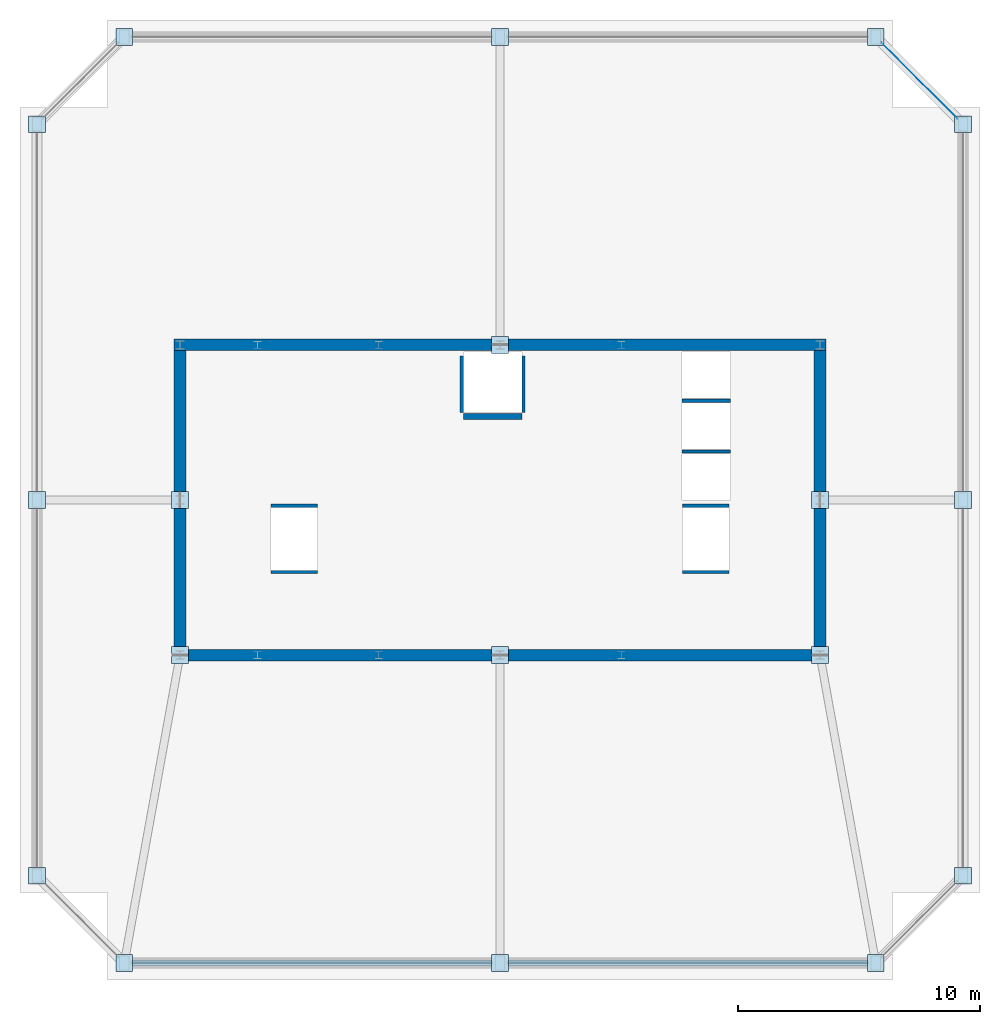
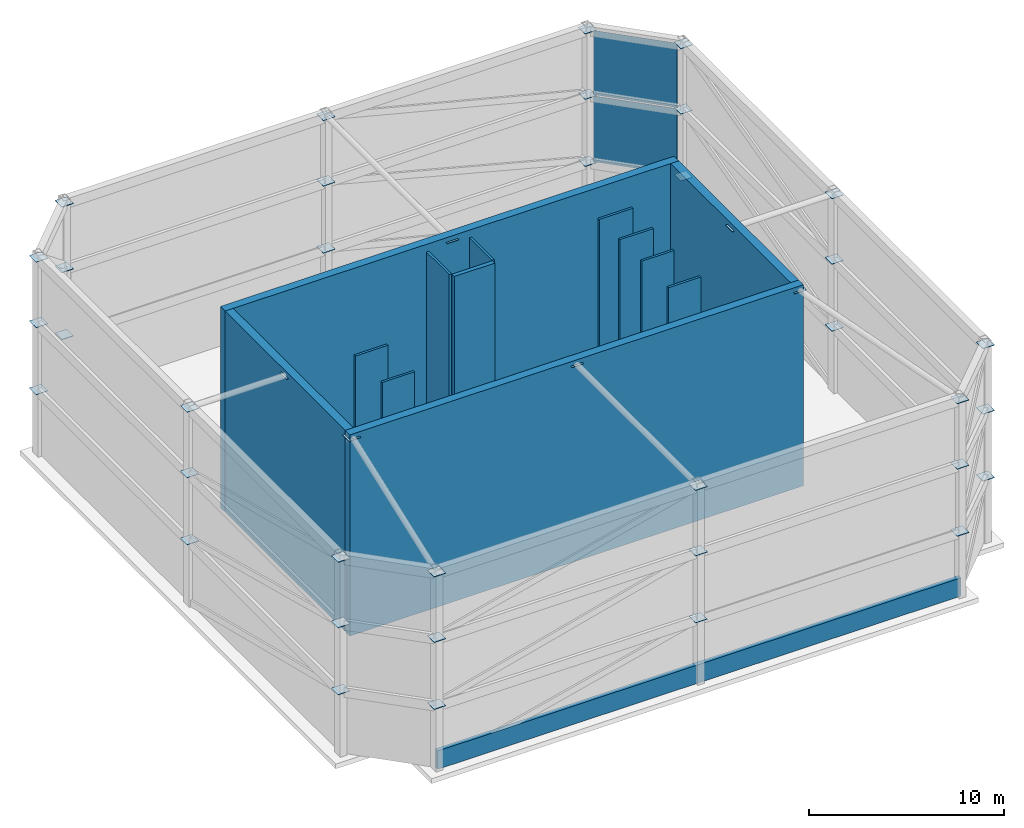
# One storey, part 4 of 6: 44 plates, 14 walls.
"""IFC4 building model written with IfcOpenShell, lengths in metres."""

from ifc_helpers import new_model, si_unit, direction, frame, frame_2d, origin, origin_2d, place, context, subcontext, project, spatial, rectangle, extrude, source, transform, mapped, material, layer, layer_set, type_object, element, save


model = new_model("IFC4")

# Units and contexts
model_context = context("Model", 3, precision=1e-05, world=origin(), true_north=direction((0.0, 1.0)))
body_context = subcontext(model_context, "Body", "Model", "MODEL_VIEW")
ifc_project = project(units=[si_unit("LENGTHUNIT", "METRE"), si_unit("AREAUNIT", "SQUARE_METRE"), si_unit("VOLUMEUNIT", "CUBIC_METRE"), si_unit("PLANEANGLEUNIT", "RADIAN"), si_unit("MASSUNIT", "GRAM", prefix="KILO"), si_unit("THERMODYNAMICTEMPERATUREUNIT", "KELVIN"), si_unit("POWERUNIT", "WATT")], contexts=[model_context])

# Site, building, storey
site_placement = place(None, origin())
site = spatial("IfcSite", under=ifc_project, at=site_placement, CompositionType="ELEMENT")
building_placement = place(site_placement, origin())
building = spatial("IfcBuilding", under=site, at=building_placement, Name="Yuzanri Waterfront Tower", CompositionType="ELEMENT")
storey_placement = place(building_placement, frame((0.0, 0.0, 351.199951171875)))
storey = spatial("IfcBuildingStorey", under=building, at=storey_placement, Name="L94", CompositionType="ELEMENT", Elevation=351.199951171875)

# Plates
ifc_material_1 = material(Name="Steel Q420GJC", Category="steel")
ifc_layer_1 = layer(ifc_material_1, 0.02490234375)
ifc_layer_set_1 = layer_set([ifc_layer_1], Name="Steel Q420GJC")
plate_type_1 = type_object("IfcPlateType", Name="Steel Q420GJC Crown Ring-Frame End-Cap Plate 25", PredefinedType="SHEET", material=ifc_layer_set_1)
shared_shape_1 = source(origin(), body_context, "Body", "SweptSolid", [
    extrude(rectangle(XDim=0.699951171875, YDim=0.699951171875, at=origin_2d()), origin(), (0.0, 0.0, 1.0), 0.02490234375),
])
for number, where, z_axis, x_axis, name in (
    (1, (21.5, 6.699951171875, 3.987548828125), (0.0, 0.0, 1.0), (1.0, 0.0, 0.0), "L94 Crown Ring Node Plate T1 CS1"),
    (2, (37.0, 6.699951171875, 3.987548828125), (0.0, 0.0, 1.0), (1.0, 0.0, 0.0), "L94 Crown Ring Node Plate T1 CS2"),
    (3, (52.5, 6.699951171875, 3.987548828125), (0.0, 0.0, 1.0), (1.0, 0.0, 0.0), "L94 Crown Ring Node Plate T1 CS3"),
    (4, (56.10009765625, 10.300048828125, 3.987548828125), (0.0, 0.0, 1.0), (1.0, 0.0, 0.0), "L94 Crown Ring Node Plate T1 CE1"),
    (5, (56.10009765625, 25.800048828125, 3.987548828125), (0.0, 0.0, 1.0), (1.0, 0.0, 0.0), "L94 Crown Ring Node Plate T1 CE2"),
    (6, (56.10009765625, 41.300048828125, 3.987548828125), (0.0, 0.0, 1.0), (1.0, 0.0, 0.0), "L94 Crown Ring Node Plate T1 CE3"),
    (7, (52.5, 44.89990234375, 3.987548828125), (0.0, 0.0, 1.0), (1.0, 0.0, 0.0), "L94 Crown Ring Node Plate T1 CN3"),
    (8, (37.0, 44.89990234375, 3.987548828125), (0.0, 0.0, 1.0), (1.0, 0.0, 0.0), "L94 Crown Ring Node Plate T1 CN2"),
    (9, (21.5, 44.89990234375, 3.987548828125), (0.0, 0.0, 1.0), (1.0, 0.0, 0.0), "L94 Crown Ring Node Plate T1 CN1"),
    (10, (17.89990234375, 41.300048828125, 3.987548828125), (0.0, 0.0, 1.0), (1.0, 0.0, 0.0), "L94 Crown Ring Node Plate T1 CW3"),
    (11, (17.89990234375, 25.800048828125, 3.987548828125), (0.0, 0.0, 1.0), (1.0, 0.0, 0.0), "L94 Crown Ring Node Plate T1 CW2"),
    (12, (17.89990234375, 10.300048828125, 3.987548828125), (0.0, 0.0, 1.0), (1.0, 0.0, 0.0), "L94 Crown Ring Node Plate T1 CW1"),
    (13, (21.5, 6.699951171875, 8.1875), (0.0, 0.0, 1.0), (1.0, 0.0, 0.0), "L94 Crown Ring Node Plate T2 CS1"),
    (14, (37.0, 6.699951171875, 8.1875), (0.0, 0.0, 1.0), (1.0, 0.0, 0.0), "L94 Crown Ring Node Plate T2 CS2"),
    (15, (52.5, 6.699951171875, 8.1875), (0.0, 0.0, 1.0), (1.0, 0.0, 0.0), "L94 Crown Ring Node Plate T2 CS3"),
    (16, (56.10009765625, 10.300048828125, 8.1875), (0.0, 0.0, 1.0), (1.0, 0.0, 0.0), "L94 Crown Ring Node Plate T2 CE1"),
    (17, (56.10009765625, 25.800048828125, 8.1875), (0.0, 0.0, 1.0), (1.0, 0.0, 0.0), "L94 Crown Ring Node Plate T2 CE2"),
    (18, (56.10009765625, 41.300048828125, 8.1875), (0.0, 0.0, 1.0), (1.0, 0.0, 0.0), "L94 Crown Ring Node Plate T2 CE3"),
    (19, (52.5, 44.89990234375, 8.1875), (0.0, 0.0, 1.0), (1.0, 0.0, 0.0), "L94 Crown Ring Node Plate T2 CN3"),
    (20, (37.0, 44.89990234375, 8.1875), (0.0, 0.0, 1.0), (1.0, 0.0, 0.0), "L94 Crown Ring Node Plate T2 CN2"),
    (21, (21.5, 44.89990234375, 8.1875), (0.0, 0.0, 1.0), (1.0, 0.0, 0.0), "L94 Crown Ring Node Plate T2 CN1"),
    (22, (17.89990234375, 41.300048828125, 8.1875), (0.0, 0.0, 1.0), (1.0, 0.0, 0.0), "L94 Crown Ring Node Plate T2 CW3"),
    (23, (17.89990234375, 25.800048828125, 8.1875), (0.0, 0.0, 1.0), (1.0, 0.0, 0.0), "L94 Crown Ring Node Plate T2 CW2"),
    (24, (17.89990234375, 10.300048828125, 8.1875), (0.0, 0.0, 1.0), (1.0, 0.0, 0.0), "L94 Crown Ring Node Plate T2 CW1"),
    (25, (21.5, 6.699951171875, 12.28759765625), (0.0, 0.0, 1.0), (1.0, 0.0, 0.0), "L94 Crown Ring Node Plate T3 CS1"),
    (26, (37.0, 6.699951171875, 12.28759765625), (0.0, 0.0, 1.0), (1.0, 0.0, 0.0), "L94 Crown Ring Node Plate T3 CS2"),
    (27, (52.5, 6.699951171875, 12.28759765625), (0.0, 0.0, 1.0), (1.0, 0.0, 0.0), "L94 Crown Ring Node Plate T3 CS3"),
    (28, (56.10009765625, 10.300048828125, 12.28759765625), (0.0, 0.0, 1.0), (1.0, 0.0, 0.0), "L94 Crown Ring Node Plate T3 CE1"),
    (29, (56.10009765625, 25.800048828125, 12.28759765625), (0.0, 0.0, 1.0), (1.0, 0.0, 0.0), "L94 Crown Ring Node Plate T3 CE2"),
    (30, (56.10009765625, 41.300048828125, 12.28759765625), (0.0, 0.0, 1.0), (1.0, 0.0, 0.0), "L94 Crown Ring Node Plate T3 CE3"),
    (31, (52.5, 44.89990234375, 12.28759765625), (0.0, 0.0, 1.0), (1.0, 0.0, 0.0), "L94 Crown Ring Node Plate T3 CN3"),
    (32, (37.0, 44.89990234375, 12.28759765625), (0.0, 0.0, 1.0), (1.0, 0.0, 0.0), "L94 Crown Ring Node Plate T3 CN2"),
    (33, (21.5, 44.89990234375, 12.28759765625), (0.0, 0.0, 1.0), (1.0, 0.0, 0.0), "L94 Crown Ring Node Plate T3 CN1"),
    (34, (17.89990234375, 41.300048828125, 12.28759765625), (0.0, 0.0, 1.0), (1.0, 0.0, 0.0), "L94 Crown Ring Node Plate T3 CW3"),
    (35, (17.89990234375, 25.800048828125, 12.28759765625), (0.0, 0.0, 1.0), (1.0, 0.0, 0.0), "L94 Crown Ring Node Plate T3 CW2"),
    (36, (17.89990234375, 10.300048828125, 12.28759765625), (0.0, 0.0, 1.0), (1.0, 0.0, 0.0), "L94 Crown Ring Node Plate T3 CW1"),
    (37, (37.0, 19.39990234375, 12.28759765625), (0.0, 0.0, 1.0), (1.0, 0.0, 0.0), "L94 Radial Strut Core Cap S"),
    (38, (37.0, 32.199951171875, 12.28759765625), (0.0, 0.0, 1.0), (1.0, 0.0, 0.0), "L94 Radial Strut Core Cap N"),
    (39, (23.800048828125, 25.800048828125, 12.28759765625), (0.0, 0.0, 1.0), (1.0, 0.0, 0.0), "L94 Radial Strut Core Cap W"),
    (40, (50.199951171875, 25.800048828125, 12.28759765625), (0.0, 0.0, 1.0), (1.0, 0.0, 0.0), "L94 Radial Strut Core Cap E"),
    (41, (23.800048828125, 19.39990234375, 12.28759765625), (0.0, 0.0, 1.0), (1.0, 0.0, 0.0), "L94 Radial Strut Core Cap SW"),
    (42, (50.199951171875, 19.39990234375, 12.28759765625), (0.0, 0.0, 1.0), (1.0, 0.0, 0.0), "L94 Radial Strut Core Cap SE"),
):
    element("IfcPlate", number, at=place(storey_placement, frame(where, z_axis=z_axis, x_axis=x_axis)), inside=storey, type_object=plate_type_1, Name=name, PredefinedType="SHEET", context=body_context, shape_type="MappedRepresentation", body=[
        mapped(shared_shape_1, transform((0.0, 0.0, 0.0), scale=1.0)),
    ])
ifc_material_2 = material(Name="Anodized Architectural Bronze", Category="metal")
ifc_layer_2 = layer(ifc_material_2, 0.01806640625)
ifc_layer_set_2 = layer_set([ifc_layer_2], Name="Anodized Architectural Bronze")
plate_type_2 = type_object("IfcPlateType", Name="Perforated Bronze Crown Acoustic Screen Panel 18", PredefinedType="SHEET", material=ifc_layer_set_2)
shared_shape_2 = source(origin(), body_context, "Body", "SweptSolid", [
    extrude(rectangle(XDim=4.451171875, YDim=0.01806640625, at=origin_2d()), origin(), (0.0, 0.0, 1.0), 4.1201171875),
])
plate_1_placement = place(storey_placement, frame((54.300048828125, 43.10009765625, 4.0400390625), z_axis=(0.0, 0.0, 1.0), x_axis=(-0.707106781187, 0.707106781187, 0.0)))
element("IfcPlate", 43, at=plate_1_placement, inside=storey, type_object=plate_type_2, Name="L94 Crown Perforated Bronze Screen Tier 2 CE3-CN3", PredefinedType="SHEET", context=body_context, shape_type="MappedRepresentation", body=[
    mapped(shared_shape_2, transform((0.0, 0.0, 0.0), scale=1.0)),
])
shared_shape_3 = source(origin(), body_context, "Body", "SweptSolid", [
    extrude(rectangle(XDim=4.451171875, YDim=0.01806640625, at=origin_2d()), origin(), (0.0, 0.0, 1.0), 4.02001953125),
])
plate_2_placement = place(storey_placement, frame((54.300048828125, 43.10009765625, 8.239990234375), z_axis=(0.0, 0.0, 1.0), x_axis=(-0.707106781187, 0.707106781187, 0.0)))
element("IfcPlate", 44, at=plate_2_placement, inside=storey, type_object=plate_type_2, Name="L94 Crown Perforated Bronze Screen Tier 3 CE3-CN3", PredefinedType="SHEET", context=body_context, shape_type="MappedRepresentation", body=[
    mapped(shared_shape_3, transform((0.0, 0.0, 0.0), scale=1.0)),
])

# Walls
ifc_material_3 = material(Name="Concrete C45", Category="concrete")
ifc_layer_3 = layer(ifc_material_3, 0.47998046875)
ifc_layer_set_3 = layer_set([ifc_layer_3], Name="Concrete C45")
wall_type_1 = type_object("IfcWallType", Name="Concrete C45 High-Rise Core Shear Wall 480", PredefinedType="SHEAR", material=ifc_layer_set_3)
shared_shape_4 = source(origin(), body_context, "Body", "SweptSolid", [
    extrude(rectangle(XDim=26.8798828125, YDim=0.47998046875, at=frame_2d((13.43994140625, 0.0))), origin(), (0.0, 0.0, 1.0), 12.60009765625),
])
for number, where, z_axis, x_axis, name in (
    (45, (23.56005859375, 19.39990234375, 0.0), (0.0, 0.0, 1.0), (1.0, 0.0, 0.0), "L94 Core South Shear Wall"),
    (46, (23.56005859375, 32.199951171875, 0.0), (0.0, 0.0, 1.0), (1.0, 0.0, 0.0), "L94 Core North Shear Wall"),
):
    element("IfcWall", number, at=place(storey_placement, frame(where, z_axis=z_axis, x_axis=x_axis)), inside=storey, type_object=wall_type_1, Name=name, PredefinedType="SHEAR", context=body_context, shape_type="MappedRepresentation", body=[
        mapped(shared_shape_4, transform((0.0, 0.0, 0.0), scale=1.0)),
    ])
shared_shape_5 = source(origin(), body_context, "Body", "SweptSolid", [
    extrude(rectangle(XDim=12.320068359375, YDim=0.47998046875, at=frame_2d((6.16015625, 0.0))), origin(), (0.0, 0.0, 1.0), 12.60009765625),
])
for number, where, z_axis, x_axis, name in (
    (47, (23.800048828125, 19.639892578125, 0.0), (0.0, 0.0, 1.0), (0.0, 1.0, 0.0), "L94 Core West Shear Wall"),
    (48, (50.199951171875, 19.639892578125, 0.0), (0.0, 0.0, 1.0), (0.0, 1.0, 0.0), "L94 Core East Shear Wall"),
):
    element("IfcWall", number, at=place(storey_placement, frame(where, z_axis=z_axis, x_axis=x_axis)), inside=storey, type_object=wall_type_1, Name=name, PredefinedType="SHEAR", context=body_context, shape_type="MappedRepresentation", body=[
        mapped(shared_shape_5, transform((0.0, 0.0, 0.0), scale=1.0)),
    ])
ifc_material_4 = material(Name="Concrete C40", Category="concrete")
ifc_layer_4 = layer(ifc_material_4, 0.25)
ifc_layer_set_4 = layer_set([ifc_layer_4], Name="Concrete C40")
wall_type_2 = type_object("IfcWallType", Name="Concrete C40 Roof Parapet Upstand Wall 250", PredefinedType="PARAPET", material=ifc_layer_set_4)
shared_shape_6 = source(origin(), body_context, "Body", "SweptSolid", [
    extrude(rectangle(XDim=31.0, YDim=0.25, at=frame_2d((15.5, 0.0))), origin(), (0.0, 0.0, 1.0), 1.150146484375),
])
wall_1_placement = place(storey_placement, frame((21.5, 6.699951171875, 0.0), z_axis=(0.0, 0.0, 1.0), x_axis=(1.0, 0.0, 0.0)))
element("IfcWall", 49, at=wall_1_placement, inside=storey, type_object=wall_type_2, Name="L94 Crown Maintenance Parapet Upstand", PredefinedType="PARAPET", context=body_context, shape_type="MappedRepresentation", body=[
    mapped(shared_shape_6, transform((0.0, 0.0, 0.0), scale=1.0)),
])
ifc_material_5 = material(Name="Concrete C40", Category="concrete")
ifc_layer_5 = layer(ifc_material_5, 0.139892578125)
ifc_layer_set_5 = layer_set([ifc_layer_5], Name="Concrete C40")
wall_type_3 = type_object("IfcWallType", Name="Core Stair Liner and Hoistway Shaft Wall 140", PredefinedType="SOLIDWALL", material=ifc_layer_set_5)
shared_shape_7 = source(origin(), body_context, "Body", "SweptSolid", [
    extrude(rectangle(XDim=1.919921875, YDim=0.139892578125, at=frame_2d((0.9599609375, 0.0))), origin(), (0.0, 0.0, 1.0), 12.300048828125),
])
for number, where, z_axis, x_axis, name in (
    (50, (27.56005859375, 22.830078125, 0.0), (0.0, 0.0, 1.0), (1.0, 0.0, 0.0), "L94 Lift FL-01 Front Shaft Wall"),
    (51, (27.56005859375, 25.570068359375, 0.0), (0.0, 0.0, 1.0), (1.0, 0.0, 0.0), "L94 Lift FL-01 Back Shaft Wall"),
    (52, (44.52001953125, 22.830078125, 0.0), (0.0, 0.0, 1.0), (1.0, 0.0, 0.0), "L94 Lift FL-02 Front Shaft Wall"),
    (53, (44.52001953125, 25.570068359375, 0.0), (0.0, 0.0, 1.0), (1.0, 0.0, 0.0), "L94 Lift FL-02 Back Shaft Wall"),
):
    element("IfcWall", number, at=place(storey_placement, frame(where, z_axis=z_axis, x_axis=x_axis)), inside=storey, type_object=wall_type_3, Name=name, PredefinedType="SOLIDWALL", context=body_context, shape_type="MappedRepresentation", body=[
        mapped(shared_shape_7, transform((0.0, 0.0, 0.0), scale=1.0)),
    ])
shared_shape_8 = source(origin(), body_context, "Body", "SweptSolid", [
    extrude(rectangle(XDim=2.340087890625, YDim=0.139892578125, at=frame_2d((1.169921875, 0.0))), origin(), (0.0, 0.0, 1.0), 12.300048828125),
])
for number, where, z_axis, x_axis, name in (
    (54, (35.429931640625, 29.39990234375, 0.0), (0.0, 0.0, 1.0), (0.0, 1.0, 0.0), "L94 Lift SL-02 Front Shaft Wall"),
    (55, (37.969970703125, 29.39990234375, 0.0), (0.0, 0.0, 1.0), (0.0, 1.0, 0.0), "L94 Lift SL-02 East Overrun Wall"),
):
    element("IfcWall", number, at=place(storey_placement, frame(where, z_axis=z_axis, x_axis=x_axis)), inside=storey, type_object=wall_type_3, Name=name, PredefinedType="SOLIDWALL", context=body_context, shape_type="MappedRepresentation", body=[
        mapped(shared_shape_8, transform((0.0, 0.0, 0.0), scale=1.0)),
    ])
ifc_material_6 = material(Name="Concrete C40", Category="concrete")
ifc_layer_6 = layer(ifc_material_6, 0.25)
ifc_layer_set_6 = layer_set([ifc_layer_6], Name="Concrete C40")
wall_type_4 = type_object("IfcWallType", Name="Smoke-Proof Stair and Lift Shaft Wall 250", PredefinedType="SOLIDWALL", material=ifc_layer_set_6)
shared_shape_9 = source(origin(), body_context, "Body", "SweptSolid", [
    extrude(rectangle(XDim=2.39990234375, YDim=0.25, at=frame_2d((1.199951171875, 0.0))), origin(), (0.0, 0.0, 1.0), 12.300048828125),
])
wall_2_placement = place(storey_placement, frame((35.5, 29.25, 0.0), z_axis=(0.0, 0.0, 1.0), x_axis=(1.0, 0.0, 0.0)))
element("IfcWall", 56, at=wall_2_placement, inside=storey, type_object=wall_type_4, Name="L94 Lift SL-02 South Shaft Wall", PredefinedType="SOLIDWALL", context=body_context, shape_type="MappedRepresentation", body=[
    mapped(shared_shape_9, transform((0.0, 0.0, 0.0), scale=1.0)),
])
shared_shape_10 = source(origin(), body_context, "Body", "SweptSolid", [
    extrude(rectangle(XDim=2.0, YDim=0.139892578125, at=frame_2d((1.0, 0.0))), origin(), (0.0, 0.0, 1.0), 12.300048828125),
])
for number, where, z_axis, x_axis, name in (
    (57, (44.5, 27.800048828125, 0.0), (0.0, 0.0, 1.0), (1.0, 0.0, 0.0), "L94 Lift PL-09 Divider Wall"),
    (58, (44.5, 29.89990234375, 0.0), (0.0, 0.0, 1.0), (1.0, 0.0, 0.0), "L94 Lift PL-10 Divider Wall"),
):
    element("IfcWall", number, at=place(storey_placement, frame(where, z_axis=z_axis, x_axis=x_axis)), inside=storey, type_object=wall_type_3, Name=name, PredefinedType="SOLIDWALL", context=body_context, shape_type="MappedRepresentation", body=[
        mapped(shared_shape_10, transform((0.0, 0.0, 0.0), scale=1.0)),
    ])

save(model, "model.ifc")
